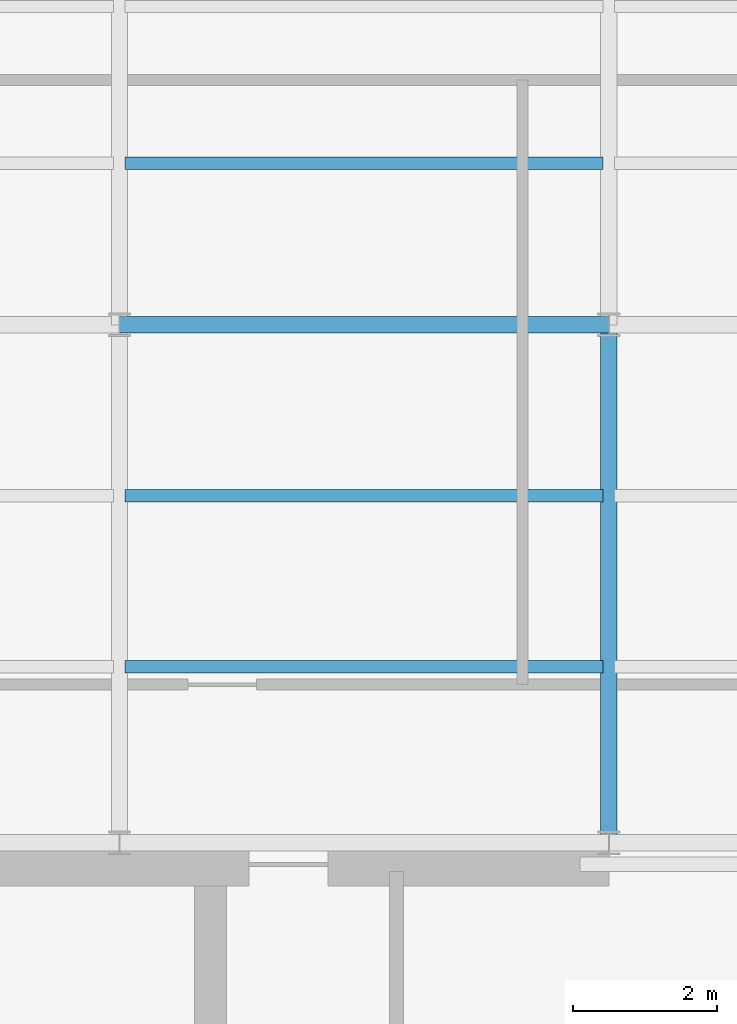
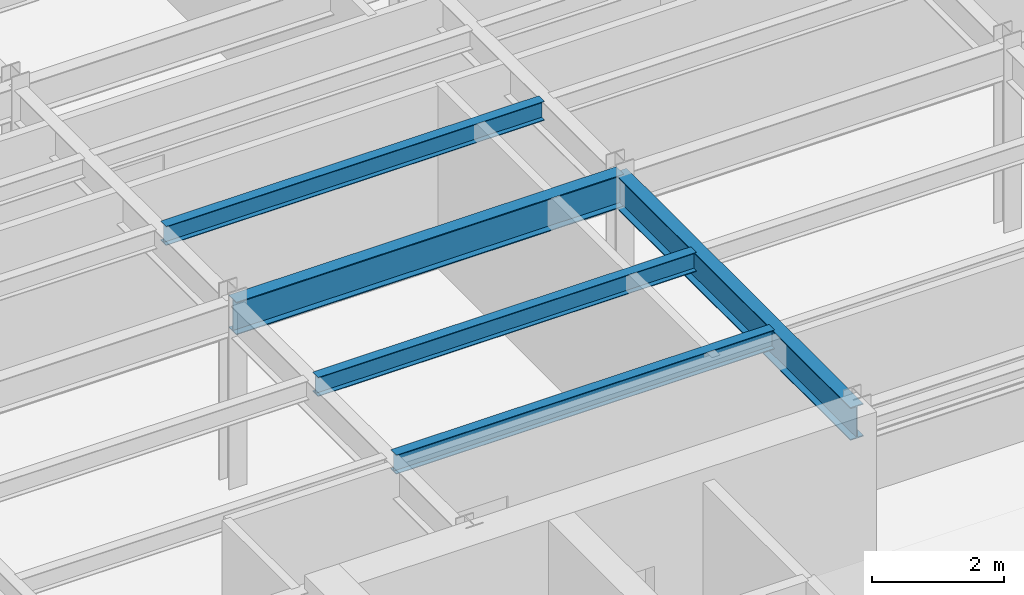
# One storey, part 6 of 22: 5 beams.
"""IFC4 building model written with IfcOpenShell, lengths in metres."""

import ifcopenshell
import ifcopenshell.guid

model = None  # the IFC model being written
_history = None  # IfcOwnerHistory: only IFC2X3 demands one
_inside = {}  # id of a spatial element -> (the spatial element, [elements in it])
_under = {}  # id of a project, library or spatial element -> (it, [spatial elements below it])
_declared = {}  # id of a project -> (the project, [libraries it declares])
_typed = {}  # id of a type object -> (the type object, [elements of that type])
_made_of = {}  # id of a material, layer set ... -> (it, [elements and type objects made of it])


def new_model(schema):
    """Start an empty IFC model of exactly this schema.

    Asked for "IFC4X3", IfcOpenShell would pick the latest addendum, in which some entities
    have other attributes; the version numbers below select the first issue.
    IFC2X3 requires an IfcOwnerHistory on every rooted entity: one is made here for all.
    """
    global model, _history
    if schema == "IFC4X3":
        model = ifcopenshell.file(schema_version=(4, 3, 0, 0))
    else:
        model = ifcopenshell.file(schema=schema)
    _inside.clear()
    _under.clear()
    _declared.clear()
    _typed.clear()
    _made_of.clear()
    _history = None
    if model.schema == "IFC2X3":
        org = make("IfcOrganization", Name="unknown")
        user = make(
            "IfcPersonAndOrganization",
            ThePerson=make("IfcPerson", FamilyName="unknown"),
            TheOrganization=org,
        )
        app = make(
            "IfcApplication",
            ApplicationDeveloper=org,
            Version="unknown",
            ApplicationFullName="unknown",
            ApplicationIdentifier="unknown",
        )
        _history = make(
            "IfcOwnerHistory",
            OwningUser=user,
            OwningApplication=app,
            ChangeAction="ADDED",
            CreationDate=0,
        )
    return model


def make(cls, **values):
    """One entity of the class cls with the attributes given. An attribute that is None is left unset."""
    return model.create_entity(
        cls, **{name: value for name, value in values.items() if value is not None}
    )


def rooted(cls, **values):
    """An entity with a GlobalId (a new one), such as an element, a storey or a relation."""
    return make(cls, GlobalId=ifcopenshell.guid.new(), OwnerHistory=_history, **values)


def si_unit(unit_type, name, prefix=None):
    """IfcSIUnit, for example si_unit("LENGTHUNIT", "METRE", prefix="MILLI")."""
    return make("IfcSIUnit", UnitType=unit_type, Prefix=prefix, Name=name)


def derived_unit(unit_type, elements):
    """IfcDerivedUnit: a product of units, each with its exponent."""
    return make(
        "IfcDerivedUnit",
        Elements=[
            make("IfcDerivedUnitElement", Unit=unit, Exponent=power)
            for unit, power in elements
        ],
        UnitType=unit_type,
    )


def assignment(units):
    """IfcUnitAssignment: the units of a project."""
    return None if units is None else make("IfcUnitAssignment", Units=units)


def point(xyz):
    """IfcCartesianPoint."""
    return None if xyz is None else make("IfcCartesianPoint", Coordinates=xyz)


def direction(xyz):
    """IfcDirection."""
    return None if xyz is None else make("IfcDirection", DirectionRatios=xyz)


def frame(location, z_axis=None, x_axis=None):
    """IfcAxis2Placement3D, a coordinate frame: its origin and axes. An axis left out is left unset."""
    return make(
        "IfcAxis2Placement3D",
        Location=point(location),
        Axis=direction(z_axis),
        RefDirection=direction(x_axis),
    )


def frame_2d(location, x_axis=None):
    """IfcAxis2Placement2D, a coordinate frame in the plane: its origin and x axis."""
    return make(
        "IfcAxis2Placement2D", Location=point(location), RefDirection=direction(x_axis)
    )


def origin():
    """The frame at (0, 0, 0) with its axes left unset."""
    return frame((0.0, 0.0, 0.0))


def origin_2d():
    """The frame at (0, 0) in the plane with its x axis left unset."""
    return frame_2d((0.0, 0.0))


def place(relative_to, where):
    """IfcLocalPlacement: puts the frame where relative to a parent placement (None: the world)."""
    return make(
        "IfcLocalPlacement", PlacementRelTo=relative_to, RelativePlacement=where
    )


def context(
    kind, dimensions, precision=None, world=None, true_north=None, identifier=None
):
    """IfcGeometricRepresentationContext, for example the 3D "Model" context."""
    return make(
        "IfcGeometricRepresentationContext",
        ContextIdentifier=identifier,
        ContextType=kind,
        CoordinateSpaceDimension=dimensions,
        Precision=precision,
        WorldCoordinateSystem=world,
        TrueNorth=true_north,
    )


def subcontext(parent, identifier, kind, view, scale=None):
    """IfcGeometricRepresentationSubContext, for example "Body" below "Model"."""
    return make(
        "IfcGeometricRepresentationSubContext",
        ContextIdentifier=identifier,
        ContextType=kind,
        ParentContext=parent,
        TargetScale=scale,
        TargetView=view,
    )


def project(units=None, contexts=None):
    """IfcProject with its units and contexts."""
    return rooted(
        "IfcProject",
        Name="project",
        RepresentationContexts=contexts,
        UnitsInContext=assignment(units),
    )


def spatial(cls, under=None, at=None, **own):
    """A site, building, storey or space (cls), placed at a placement, below another one or the project."""
    s = rooted(cls, ObjectPlacement=at, **own)
    if under is not None:
        _under.setdefault(under.id(), (under, []))[1].append(s)
    return s


def profile(cls, at=None, kind="AREA", **sizes):
    """A parametric profile (cls). Its sizes go by their IFC names, for example OverallWidth=200.0."""
    return make(cls, ProfileType=kind, Position=at, **sizes)


def i_section(**sizes):
    """IfcIShapeProfileDef."""
    return profile("IfcIShapeProfileDef", **sizes)


def extrude(swept, where, along, depth):
    """IfcExtrudedAreaSolid: the profile swept, set in the frame where, extruded along a direction by depth."""
    return make(
        "IfcExtrudedAreaSolid",
        SweptArea=swept,
        Position=where,
        ExtrudedDirection=direction(along),
        Depth=depth,
    )


def shape(context_of_items, identifier, shape_type, items):
    """IfcShapeRepresentation: the items that make up one representation, for example the "Body"."""
    return make(
        "IfcShapeRepresentation",
        ContextOfItems=context_of_items,
        RepresentationIdentifier=identifier,
        RepresentationType=shape_type,
        Items=items,
    )


def source(mapping_origin, context_of_items, identifier, shape_type, items):
    """IfcRepresentationMap: a shape defined once, which mapped items show again and again."""
    return make(
        "IfcRepresentationMap",
        MappingOrigin=mapping_origin,
        MappedRepresentation=shape(context_of_items, identifier, shape_type, items),
    )


def transform(
    local_origin,
    x_axis=None,
    y_axis=None,
    z_axis=None,
    scale=None,
    scale2=None,
    scale3=None,
    uniform=True,
):
    """IfcCartesianTransformationOperator3D, or its non-uniform kind. x_axis, y_axis, z_axis: its Axis1, 2, 3."""
    if uniform:
        return make(
            "IfcCartesianTransformationOperator3D",
            Axis1=direction(x_axis),
            Axis2=direction(y_axis),
            LocalOrigin=point(local_origin),
            Scale=scale,
            Axis3=direction(z_axis),
        )
    return make(
        "IfcCartesianTransformationOperator3DnonUniform",
        Axis1=direction(x_axis),
        Axis2=direction(y_axis),
        LocalOrigin=point(local_origin),
        Scale=scale,
        Axis3=direction(z_axis),
        Scale2=scale2,
        Scale3=scale3,
    )


def mapped(mapping_source, mapping_target):
    """IfcMappedItem: shows the shape of a source again, moved by a transform."""
    return make(
        "IfcMappedItem", MappingSource=mapping_source, MappingTarget=mapping_target
    )


def material(Name=None, Category=None):
    """IfcMaterial."""
    return make("IfcMaterial", Name=Name, Category=Category)


def material_profile(
    of_material, cross_section, Name=None, Category=None, Priority=None
):
    """IfcMaterialProfile: a cross section and its material."""
    return make(
        "IfcMaterialProfile",
        Name=Name,
        Material=of_material,
        Profile=cross_section,
        Priority=Priority,
        Category=Category,
    )


def profile_set(profiles, Name=None, composite=None):
    """IfcMaterialProfileSet."""
    return make(
        "IfcMaterialProfileSet",
        Name=Name,
        MaterialProfiles=profiles,
        CompositeProfile=composite,
    )


def made_of(thing, what):
    """Note that an element or type object is made of a material, layer set ...; save() writes the relation."""
    if what is not None:
        _made_of.setdefault(what.id(), (what, []))[1].append(thing)
    return thing


def type_object(cls, material=None, **own):
    """A type object (cls), such as IfcWallType, which elements share."""
    return made_of(rooted(cls, **own), material)


def element(
    cls,
    number,
    at=None,
    inside=None,
    cuts=None,
    type_object=None,
    material=None,
    context=None,
    identifier="Body",
    shape_type=None,
    held_by="IfcProductDefinitionShape",
    body=None,
    shapes=None,
    **own,
):
    """One element of the class cls, such as IfcWall. Its Tag is "e" and its number.

    at: its placement. inside: the storey or other place that contains it. cuts: it is an
    opening in that element (IfcRelVoidsElement). A single representation is given by context,
    identifier, shape_type and body (its items); several are given by shapes. held_by: the class
    of the entity that holds the representations. save() writes the other relations.
    """
    e = rooted(cls, Tag="e%d" % number, ObjectPlacement=at, **own)
    if body is not None:
        shapes = [shape(context, identifier, shape_type, body)]
    if shapes is not None:
        e.Representation = make(held_by, Representations=shapes)
    if inside is not None:
        _inside.setdefault(inside.id(), (inside, []))[1].append(e)
    if cuts is not None:
        rooted(
            "IfcRelVoidsElement", RelatingBuildingElement=cuts, RelatedOpeningElement=e
        )
    if type_object is not None:
        _typed.setdefault(type_object.id(), (type_object, []))[1].append(e)
    return made_of(e, material)


def aggregate(whole, parts):
    """IfcRelAggregates: a whole, such as a stair, and the parts it consists of."""
    return rooted("IfcRelAggregates", RelatingObject=whole, RelatedObjects=parts)


def save(model, path):
    """Write the relations noted so far, then the file.

    IfcRelAggregates (storeys below a building ...), IfcRelContainedInSpatialStructure (elements
    in a storey), IfcRelDefinesByType, IfcRelAssociatesMaterial and IfcRelDeclares: one each for
    every whole, place, type object, material and project.
    """
    for whole, parts in _under.values():
        aggregate(whole, parts)
    for where, things in _inside.values():
        rooted(
            "IfcRelContainedInSpatialStructure",
            RelatedElements=things,
            RelatingStructure=where,
        )
    for kind, things in _typed.values():
        rooted("IfcRelDefinesByType", RelatedObjects=things, RelatingType=kind)
    for what, things in _made_of.values():
        rooted("IfcRelAssociatesMaterial", RelatedObjects=things, RelatingMaterial=what)
    for by, libraries in _declared.values():
        rooted("IfcRelDeclares", RelatingContext=by, RelatedDefinitions=libraries)
    model.write(path)


model = new_model("IFC4")

# Units and contexts
model_context = context("Model", 3, precision=1e-05, world=origin(), true_north=direction((0.0, 1.0)))
body_context = subcontext(model_context, "Body", "Model", "MODEL_VIEW")
ifc_project = project(units=[si_unit("LENGTHUNIT", "METRE"), si_unit("AREAUNIT", "SQUARE_METRE"), si_unit("VOLUMEUNIT", "CUBIC_METRE"), si_unit("PLANEANGLEUNIT", "RADIAN"), si_unit("MASSUNIT", "GRAM", prefix="KILO"), derived_unit("THERMALTRANSMITTANCEUNIT", [(si_unit("POWERUNIT", "WATT"), 1), (si_unit("LENGTHUNIT", "METRE"), -2), (si_unit("THERMODYNAMICTEMPERATUREUNIT", "KELVIN"), -1)])], contexts=[model_context])

# Site, building, storey
site_placement = place(None, origin())
site = spatial("IfcSite", under=ifc_project, at=site_placement, CompositionType="ELEMENT")
building_placement = place(site_placement, origin())
building = spatial("IfcBuilding", under=site, at=building_placement, Name="Skarnbrae Concourse Arena and Tower", CompositionType="ELEMENT")
storey_placement = place(building_placement, frame((0.0, 0.0, 199.550048828125)))
storey = spatial("IfcBuildingStorey", under=building, at=storey_placement, Name="L51", CompositionType="ELEMENT", Elevation=199.550048828125)

# Beams
ifc_material = material(Name="Steel CSA G40.21 350W", Category="steel")
ifc_material_profile_1 = material_profile(ifc_material, i_section(OverallWidth=0.22802734375, OverallDepth=0.60791015625, WebThickness=0.01123046875, FlangeThickness=0.017333984375, at=origin_2d()), Name="W610X113")
ifc_profile_set_1 = profile_set([ifc_material_profile_1], Name="Steel CSA G40.21 350W")
beam_type_1 = type_object("IfcBeamType", Name="BM-GIRD-W610X113", PredefinedType="BEAM", material=ifc_profile_set_1)
shared_shape_1 = source(origin(), body_context, "Body", "SweptSolid", [
    extrude(i_section(OverallWidth=0.22802734375, OverallDepth=0.60791015625, WebThickness=0.01123046875, FlangeThickness=0.017333984375, at=origin_2d()), origin(), (0.0, 0.0, 1.0), 6.7998046875),
])
beam_1_placement = place(storey_placement, frame((7.60009765625, 21.199951171875, 3.095947265625), z_axis=(1.0, 0.0, 0.0), x_axis=(0.0, 1.0, 0.0)))
element("IfcBeam", 1, at=beam_1_placement, inside=storey, type_object=beam_type_1, Name="L51 Primary E-W girder Y21.2-2", PredefinedType="BEAM", context=body_context, shape_type="MappedRepresentation", body=[
    mapped(shared_shape_1, transform((0.0, 0.0, 0.0))),
])
shared_shape_2 = source(origin(), body_context, "Body", "SweptSolid", [
    extrude(i_section(OverallWidth=0.22802734375, OverallDepth=0.60791015625, WebThickness=0.01123046875, FlangeThickness=0.017333984375, at=origin_2d()), origin(), (0.0, 0.0, 1.0), 7.199951171875),
])
beam_2_placement = place(storey_placement, frame((14.39990234375, 14.0, 3.095947265625), z_axis=(0.0, 1.0, 0.0), x_axis=(-1.0, 0.0, 0.0)))
element("IfcBeam", 2, at=beam_2_placement, inside=storey, type_object=beam_type_1, Name="L51 Primary N-S girder X14.4-1", PredefinedType="BEAM", context=body_context, shape_type="MappedRepresentation", body=[
    mapped(shared_shape_2, transform((0.0, 0.0, 0.0))),
])
ifc_material_profile_2 = material_profile(ifc_material, i_section(OverallWidth=0.1708984375, OverallDepth=0.35498046875, WebThickness=0.007080078125, FlangeThickness=0.01171875, at=origin_2d()), Name="W360X51")
ifc_profile_set_2 = profile_set([ifc_material_profile_2], Name="Steel CSA G40.21 350W")
beam_type_2 = type_object("IfcBeamType", Name="BM-JOIST-W360X51", PredefinedType="JOIST", material=ifc_profile_set_2)
shared_shape_3 = source(origin(), body_context, "Body", "SweptSolid", [
    extrude(i_section(OverallWidth=0.1708984375, OverallDepth=0.35498046875, WebThickness=0.007080078125, FlangeThickness=0.01171875, at=origin_2d()), origin(), (0.0, 0.0, 1.0), 6.64013671875),
])
for number, where, z_axis, x_axis, name in (
    (3, (7.679931640625, 16.447998046875, 3.222412109375), (1.0, 0.0, 0.0), (0.0, 1.0, 0.0), "L51 Secondary floor joist 1.1.2"),
    (4, (7.679931640625, 18.823974609375, 3.222412109375), (1.0, 0.0, 0.0), (0.0, 1.0, 0.0), "L51 Secondary floor joist 1.2.2"),
    (5, (7.679931640625, 23.444091796875, 3.222412109375), (1.0, 0.0, 0.0), (0.0, 1.0, 0.0), "L51 Secondary floor joist 2.1.2"),
):
    element("IfcBeam", number, at=place(storey_placement, frame(where, z_axis=z_axis, x_axis=x_axis)), inside=storey, type_object=beam_type_2, Name=name, PredefinedType="JOIST", context=body_context, shape_type="MappedRepresentation", body=[
        mapped(shared_shape_3, transform((0.0, 0.0, 0.0))),
    ])

save(model, "model.ifc")
